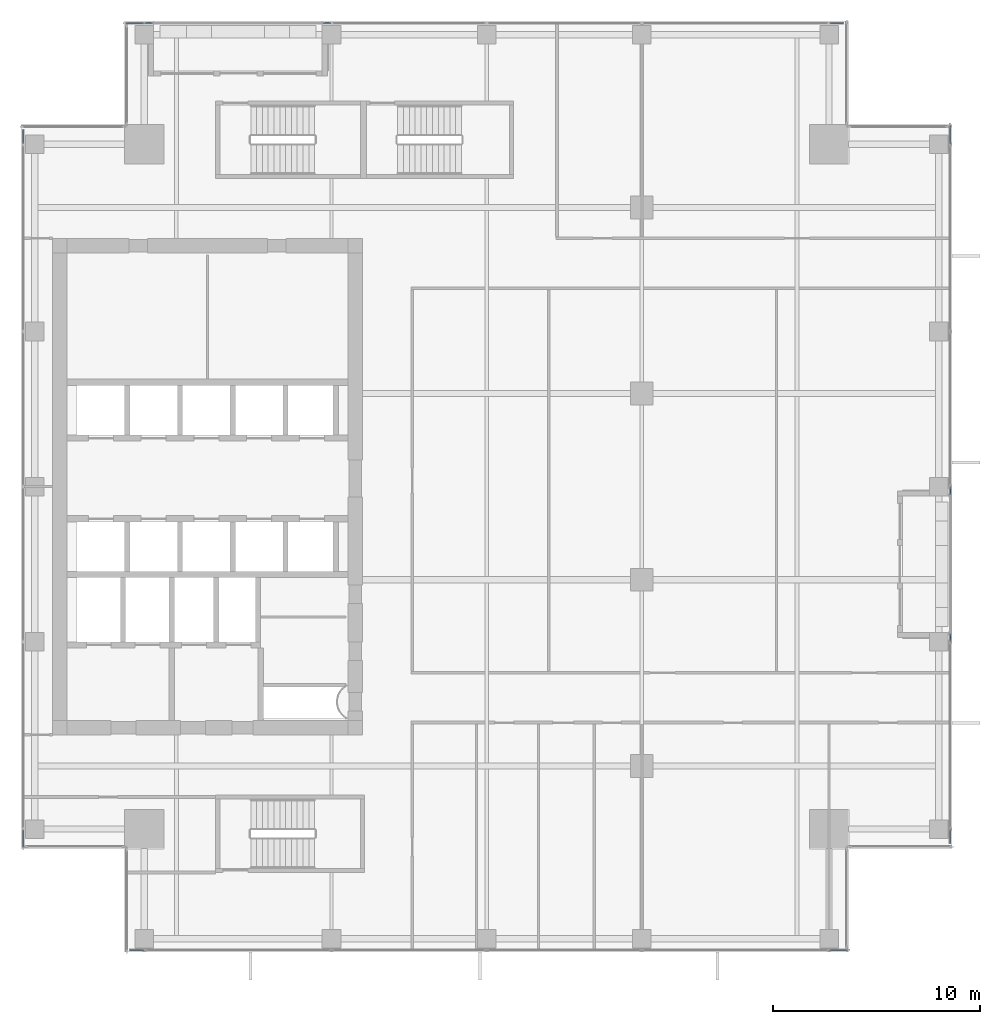
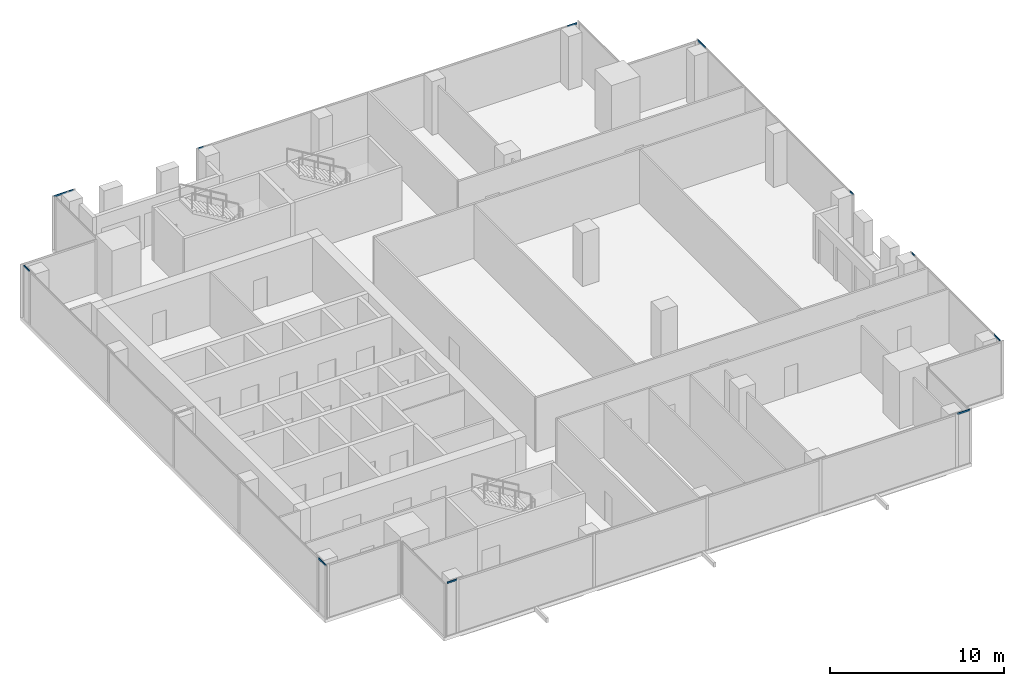
# One storey, part 25 of 36: 12 members, 6 elements without a shape of their own.
"""IFC4 building model written with IfcOpenShell, lengths in metres."""

from ifc_helpers import new_model, si_unit, direction, frame, origin, origin_2d, place, context, subcontext, project, spatial, hollow_rectangle, extrude, source, transform, mapped, material, material_profile, profile_set, type_object, element, aggregate, save


model = new_model("IFC4")

# Units and contexts
model_context = context("Model", 3, precision=1e-05, world=origin(), true_north=direction((0.0, 1.0)))
body_context = subcontext(model_context, "Body", "Model", "MODEL_VIEW")
ifc_project = project(units=[si_unit("LENGTHUNIT", "METRE"), si_unit("AREAUNIT", "SQUARE_METRE"), si_unit("VOLUMEUNIT", "CUBIC_METRE"), si_unit("PLANEANGLEUNIT", "RADIAN"), si_unit("MASSUNIT", "GRAM", prefix="KILO")], contexts=[model_context])

# Site, building, storey
site_placement = place(None, origin())
site = spatial("IfcSite", under=ifc_project, at=site_placement, CompositionType="ELEMENT")
building_placement = place(site_placement, origin())
building = spatial("IfcBuilding", under=site, at=building_placement, Name="Khomas Fold Tower", CompositionType="ELEMENT")
storey_placement = place(building_placement, frame((0.0, 0.0, 230.199951171875)))
storey = spatial("IfcBuildingStorey", under=building, at=storey_placement, Name="L51", CompositionType="ELEMENT", Elevation=230.199951171875)

# Curtain wall, member
ifc_material_1 = material(Name="Aluminium framed double glazing", Category="aluminium")
curtain_wall_type = type_object("IfcCurtainWallType", Name="SK-Unitised clear-glass wall, office floors CW2", PredefinedType="NOTDEFINED", material=ifc_material_1)
curtain_wall_1_placement = place(storey_placement, origin())
curtain_wall_1 = element("IfcCurtainWall", 1, at=curtain_wall_1_placement, inside=storey, type_object=curtain_wall_type, Name="CW2 run L51 00-0", PredefinedType="NOTDEFINED")
ifc_material_2 = material(Name="Aluminium", Category="aluminium")
ifc_material_profile = material_profile(ifc_material_2, hollow_rectangle(XDim=0.050048828125, YDim=0.110107421875, WallThickness=0.00390625, at=origin_2d()), Name="SK-Unitised clear-glass wall, office floors transom CW2-T")
ifc_profile_set = profile_set([ifc_material_profile], Name="Aluminium")
member_type = type_object("IfcMemberType", Name="SK-Unitised clear-glass wall, office floors transom CW2-T", PredefinedType="USERDEFINED", material=ifc_profile_set)
shared_shape_1 = source(origin(), body_context, "Body", "SweptSolid", [
    extrude(hollow_rectangle(XDim=0.050048828125, YDim=0.110107421875, WallThickness=0.00390625, at=origin_2d()), origin(), (0.0, 0.0, 1.0), 0.659912109375),
])
member_1_placement = place(storey_placement, frame((9.760009765625, 4.60009765625, 3.695068359375), z_axis=(1.0, 0.0, 0.0), x_axis=(0.0, 1.0, 0.0)))
member_1 = element("IfcMember", 2, at=member_1_placement, type_object=member_type, Name="CW2 transom 1", ObjectType="TRANSOM", PredefinedType="USERDEFINED", context=body_context, shape_type="MappedRepresentation", body=[
    mapped(shared_shape_1, transform((0.0, 0.0, 0.0))),
])

curtain_wall_2_placement = place(storey_placement, origin())
curtain_wall_2 = element("IfcCurtainWall", 3, at=curtain_wall_2_placement, inside=storey, type_object=curtain_wall_type, Name="CW2 run L51 03-0", PredefinedType="NOTDEFINED")
member_2_placement = place(storey_placement, frame((49.39990234375, 9.760009765625, 3.695068359375), z_axis=(0.0, 1.0, 0.0), x_axis=(-1.0, 0.0, 0.0)))
member_2 = element("IfcMember", 4, at=member_2_placement, type_object=member_type, Name="CW2 transom 1", ObjectType="TRANSOM", PredefinedType="USERDEFINED", context=body_context, shape_type="MappedRepresentation", body=[
    mapped(shared_shape_1, transform((0.0, 0.0, 0.0))),
])

curtain_wall_3_placement = place(storey_placement, origin())
curtain_wall_3 = element("IfcCurtainWall", 5, at=curtain_wall_3_placement, inside=storey, type_object=curtain_wall_type, Name="CW2 run L51 06-0", PredefinedType="NOTDEFINED")
member_3_placement = place(storey_placement, frame((44.239990234375, 49.39990234375, 3.695068359375), z_axis=(-1.0, 0.0, 0.0), x_axis=(0.0, -1.0, 0.0)))
member_3 = element("IfcMember", 6, at=member_3_placement, type_object=member_type, Name="CW2 transom 1", ObjectType="TRANSOM", PredefinedType="USERDEFINED", context=body_context, shape_type="MappedRepresentation", body=[
    mapped(shared_shape_1, transform((0.0, 0.0, 0.0))),
])

curtain_wall_4_placement = place(storey_placement, origin())
curtain_wall_4 = element("IfcCurtainWall", 7, at=curtain_wall_4_placement, inside=storey, type_object=curtain_wall_type, Name="CW2 run L51 09-0", PredefinedType="NOTDEFINED")
member_4_placement = place(storey_placement, frame((4.60009765625, 44.239990234375, 3.695068359375), z_axis=(0.0, -1.0, 0.0), x_axis=(1.0, 0.0, 0.0)))
member_4 = element("IfcMember", 8, at=member_4_placement, type_object=member_type, Name="CW2 transom 1", ObjectType="TRANSOM", PredefinedType="USERDEFINED", context=body_context, shape_type="MappedRepresentation", body=[
    mapped(shared_shape_1, transform((0.0, 0.0, 0.0))),
])

# Member
shared_shape_2 = source(origin(), body_context, "Body", "SweptSolid", [
    extrude(hollow_rectangle(XDim=0.050048828125, YDim=0.110107421875, WallThickness=0.00390625, at=origin_2d()), origin(), (0.0, 0.0, 1.0), 0.85986328125),
])
member_5_placement = place(storey_placement, frame((43.580078125, 4.60009765625, 3.695068359375), z_axis=(1.0, 0.0, 0.0), x_axis=(0.0, 1.0, 0.0)))
member_5 = element("IfcMember", 9, at=member_5_placement, type_object=member_type, Name="CW2 transom 6", ObjectType="TRANSOM", PredefinedType="USERDEFINED", context=body_context, shape_type="MappedRepresentation", body=[
    mapped(shared_shape_2, transform((0.0, 0.0, 0.0))),
])

aggregate(curtain_wall_1, [member_1, member_5])

# Curtain wall, member
curtain_wall_5_placement = place(storey_placement, origin())
curtain_wall_5 = element("IfcCurtainWall", 10, at=curtain_wall_5_placement, inside=storey, type_object=curtain_wall_type, Name="CW2 run L51 03-1", PredefinedType="NOTDEFINED")
member_6_placement = place(storey_placement, frame((49.39990234375, 43.580078125, 3.695068359375), z_axis=(0.0, 1.0, 0.0), x_axis=(-1.0, 0.0, 0.0)))
member_6 = element("IfcMember", 11, at=member_6_placement, type_object=member_type, Name="CW2 transom 4", ObjectType="TRANSOM", PredefinedType="USERDEFINED", context=body_context, shape_type="MappedRepresentation", body=[
    mapped(shared_shape_2, transform((0.0, 0.0, 0.0))),
])

curtain_wall_6_placement = place(storey_placement, origin())
curtain_wall_6 = element("IfcCurtainWall", 12, at=curtain_wall_6_placement, inside=storey, type_object=curtain_wall_type, Name="CW2 run L51 06-1", PredefinedType="NOTDEFINED")
member_7_placement = place(storey_placement, frame((10.419921875, 49.39990234375, 3.695068359375), z_axis=(-1.0, 0.0, 0.0), x_axis=(0.0, -1.0, 0.0)))
member_7 = element("IfcMember", 13, at=member_7_placement, type_object=member_type, Name="CW2 transom 2", ObjectType="TRANSOM", PredefinedType="USERDEFINED", context=body_context, shape_type="MappedRepresentation", body=[
    mapped(shared_shape_2, transform((0.0, 0.0, 0.0))),
])

# Member
member_8_placement = place(storey_placement, frame((4.60009765625, 10.419921875, 3.695068359375), z_axis=(0.0, -1.0, 0.0), x_axis=(1.0, 0.0, 0.0)))
member_8 = element("IfcMember", 14, at=member_8_placement, type_object=member_type, Name="CW2 transom 6", ObjectType="TRANSOM", PredefinedType="USERDEFINED", context=body_context, shape_type="MappedRepresentation", body=[
    mapped(shared_shape_2, transform((0.0, 0.0, 0.0))),
])

aggregate(curtain_wall_4, [member_4, member_8])

shared_shape_3 = source(origin(), body_context, "Body", "SweptSolid", [
    extrude(hollow_rectangle(XDim=0.050048828125, YDim=0.110107421875, WallThickness=0.00390625, at=origin_2d()), origin(), (0.0, 0.0, 1.0), 0.35986328125),
])
member_9_placement = place(storey_placement, frame((49.39990234375, 19.530029296875, 3.695068359375), z_axis=(0.0, 1.0, 0.0), x_axis=(-1.0, 0.0, 0.0)))
member_9 = element("IfcMember", 15, at=member_9_placement, type_object=member_type, Name="CW2 transom 3", ObjectType="TRANSOM", PredefinedType="USERDEFINED", context=body_context, shape_type="MappedRepresentation", body=[
    mapped(shared_shape_3, transform((0.0, 0.0, 0.0))),
])

aggregate(curtain_wall_2, [member_2, member_9])

member_10_placement = place(storey_placement, frame((49.39990234375, 26.610107421875, 3.695068359375), z_axis=(0.0, 1.0, 0.0), x_axis=(-1.0, 0.0, 0.0)))
member_10 = element("IfcMember", 16, at=member_10_placement, type_object=member_type, Name="CW2 transom 1", ObjectType="TRANSOM", PredefinedType="USERDEFINED", context=body_context, shape_type="MappedRepresentation", body=[
    mapped(shared_shape_3, transform((0.0, 0.0, 0.0))),
])

aggregate(curtain_wall_5, [member_10, member_6])

member_11_placement = place(storey_placement, frame((19.469970703125, 49.39990234375, 3.695068359375), z_axis=(-1.0, 0.0, 0.0), x_axis=(0.0, -1.0, 0.0)))
member_11 = element("IfcMember", 17, at=member_11_placement, type_object=member_type, Name="CW2 transom 5", ObjectType="TRANSOM", PredefinedType="USERDEFINED", context=body_context, shape_type="MappedRepresentation", body=[
    mapped(shared_shape_3, transform((0.0, 0.0, 0.0))),
])

aggregate(curtain_wall_3, [member_3, member_11])

shared_shape_4 = source(origin(), body_context, "Body", "SweptSolid", [
    extrude(hollow_rectangle(XDim=0.050048828125, YDim=0.110107421875, WallThickness=0.00390625, at=origin_2d()), origin(), (0.0, 0.0, 1.0), 0.360107421875),
])
member_12_placement = place(storey_placement, frame((10.840087890625, 49.39990234375, 3.695068359375), z_axis=(-1.0, 0.0, 0.0), x_axis=(0.0, -1.0, 0.0)))
member_12 = element("IfcMember", 18, at=member_12_placement, type_object=member_type, Name="CW2 transom 1", ObjectType="TRANSOM", PredefinedType="USERDEFINED", context=body_context, shape_type="MappedRepresentation", body=[
    mapped(shared_shape_4, transform((0.0, 0.0, 0.0))),
])

aggregate(curtain_wall_6, [member_12, member_7])

save(model, "model.ifc")
